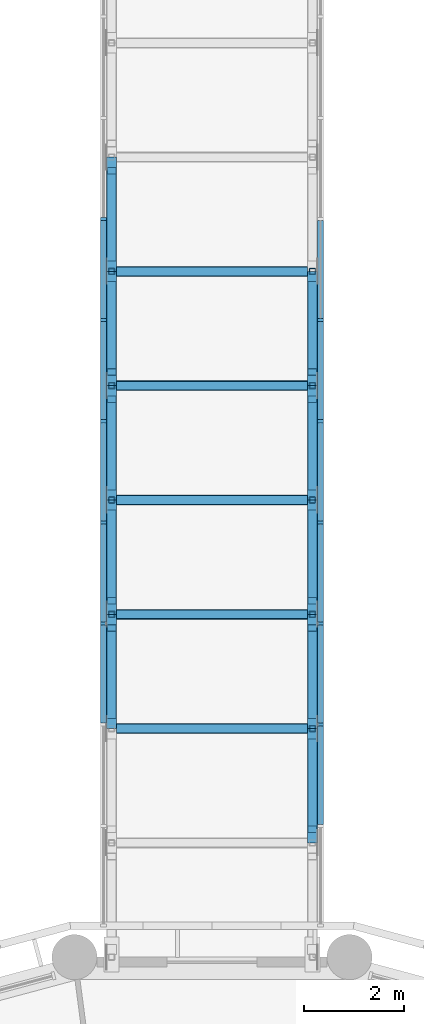
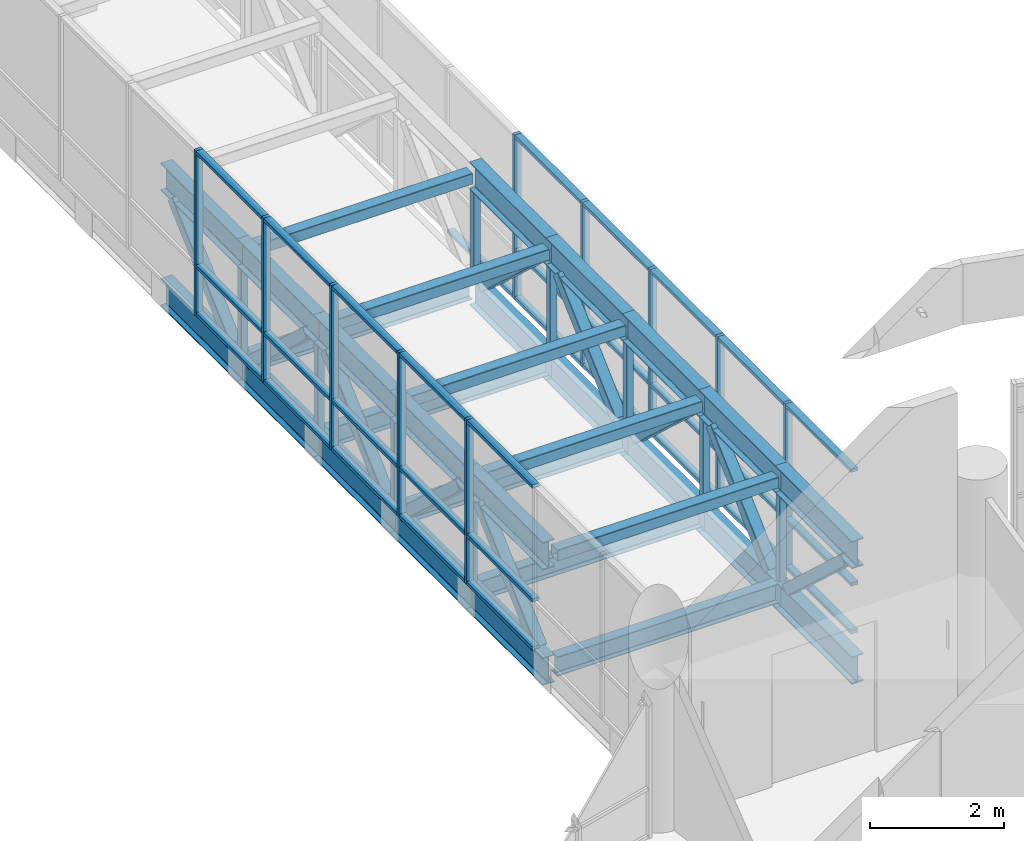
# One storey, part 25 of 136: 90 members, 2 elements without a shape of their own.
"""IFC4 building model written with IfcOpenShell, lengths in metres."""

from ifc_helpers import new_model, si_unit, direction, frame, origin, origin_2d, place, context, subcontext, project, spatial, rectangle, hollow_rectangle, i_section, extrude, material, material_profile, profile_set, type_object, element, aggregate, save


model = new_model("IFC4")

# Units and contexts
model_context = context("Model", 3, precision=1e-05, world=origin(), true_north=direction((0.0, 1.0)))
body_context = subcontext(model_context, "Body", "Model", "MODEL_VIEW")
ifc_project = project(units=[si_unit("LENGTHUNIT", "METRE"), si_unit("AREAUNIT", "SQUARE_METRE"), si_unit("VOLUMEUNIT", "CUBIC_METRE"), si_unit("PLANEANGLEUNIT", "RADIAN"), si_unit("MASSUNIT", "GRAM", prefix="KILO")], contexts=[model_context])

# Site, building, storey
site_placement = place(None, origin())
site = spatial("IfcSite", under=ifc_project, at=site_placement, CompositionType="ELEMENT")
building_placement = place(site_placement, origin())
building = spatial("IfcBuilding", under=site, at=building_placement, Name="Bougainvillea Quay General Hospital", CompositionType="ELEMENT")
storey_placement = place(building_placement, frame((0.0, 0.0, 5.39990234375)))
storey = spatial("IfcBuildingStorey", under=building, at=storey_placement, Name="L01", CompositionType="ELEMENT", Elevation=5.39990234375)

# Curtain wall, members
ifc_material_1 = material(Name="Aluminium curtain wall system, powder-coated glazed", Category="aluminium")
curtain_wall_type = type_object("IfcCurtainWallType", Name="Unitised curtain wall CW-2100", PredefinedType="NOTDEFINED", material=ifc_material_1)
curtain_wall_1_placement = place(storey_placement, origin())
curtain_wall_1 = element("IfcCurtainWall", 1, at=curtain_wall_1_placement, inside=storey, type_object=curtain_wall_type, Name="BG-L L", PredefinedType="NOTDEFINED")
ifc_material_2 = material(Name="Aluminium mullion, powder-coated charcoal", Category="aluminium")
ifc_material_profile_1 = material_profile(ifc_material_2, rectangle(XDim=0.1201171875, YDim=0.06005859375, at=origin_2d()))
ifc_profile_set_1 = profile_set([ifc_material_profile_1], Name="Aluminium mullion, powder-coated charcoal")
member_type_1 = type_object("IfcMemberType", Name="Curtain wall mullion 120x60", PredefinedType="MULLION", material=ifc_profile_set_1)
member_1_placement = place(storey_placement, frame((107.0400390625, 101.468994140625, 0.0), z_axis=(0.0, 0.0, 1.0), x_axis=(-1.0, 0.0, 0.0)))
member_1 = element("IfcMember", 2, at=member_1_placement, type_object=member_type_1, Name="BG-L mullion 4", PredefinedType="MULLION", context=body_context, shape_type="SweptSolid", body=[
    extrude(rectangle(XDim=0.1201171875, YDim=0.06005859375, at=origin_2d()), origin(), (0.0, 0.0, 1.0), 3.0),
])
member_2_placement = place(storey_placement, frame((107.0400390625, 103.4853515625, 0.0), z_axis=(0.0, 0.0, 1.0), x_axis=(-1.0, 0.0, 0.0)))
member_2 = element("IfcMember", 3, at=member_2_placement, type_object=member_type_1, Name="BG-L mullion 5", PredefinedType="MULLION", context=body_context, shape_type="SweptSolid", body=[
    extrude(rectangle(XDim=0.1201171875, YDim=0.06005859375, at=origin_2d()), origin(), (0.0, 0.0, 1.0), 3.0),
])
member_3_placement = place(storey_placement, frame((107.0400390625, 105.501708984375, 0.0), z_axis=(0.0, 0.0, 1.0), x_axis=(-1.0, 0.0, 0.0)))
member_3 = element("IfcMember", 4, at=member_3_placement, type_object=member_type_1, Name="BG-L mullion 6", PredefinedType="MULLION", context=body_context, shape_type="SweptSolid", body=[
    extrude(rectangle(XDim=0.1201171875, YDim=0.06005859375, at=origin_2d()), origin(), (0.0, 0.0, 1.0), 3.0),
])
member_4_placement = place(storey_placement, frame((107.0400390625, 107.51806640625, 0.0), z_axis=(0.0, 0.0, 1.0), x_axis=(-1.0, 0.0, 0.0)))
member_4 = element("IfcMember", 5, at=member_4_placement, type_object=member_type_1, Name="BG-L mullion 7", PredefinedType="MULLION", context=body_context, shape_type="SweptSolid", body=[
    extrude(rectangle(XDim=0.1201171875, YDim=0.06005859375, at=origin_2d()), origin(), (0.0, 0.0, 1.0), 3.0),
])
member_5_placement = place(storey_placement, frame((107.0400390625, 109.534423828125, 0.0), z_axis=(0.0, 0.0, 1.0), x_axis=(-1.0, 0.0, 0.0)))
member_5 = element("IfcMember", 6, at=member_5_placement, type_object=member_type_1, Name="BG-L mullion 8", PredefinedType="MULLION", context=body_context, shape_type="SweptSolid", body=[
    extrude(rectangle(XDim=0.1201171875, YDim=0.06005859375, at=origin_2d()), origin(), (0.0, 0.0, 1.0), 3.0),
])

curtain_wall_2_placement = place(storey_placement, origin())
curtain_wall_2 = element("IfcCurtainWall", 7, at=curtain_wall_2_placement, inside=storey, type_object=curtain_wall_type, Name="BG-R R", PredefinedType="NOTDEFINED")
member_6_placement = place(storey_placement, frame((111.360107421875, 107.51806640625, 0.0), z_axis=(0.0, 0.0, 1.0), x_axis=(1.0, 0.0, 0.0)))
member_6 = element("IfcMember", 8, at=member_6_placement, type_object=member_type_1, Name="BG-R mullion 6", PredefinedType="MULLION", context=body_context, shape_type="SweptSolid", body=[
    extrude(rectangle(XDim=0.1201171875, YDim=0.06005859375, at=origin_2d()), origin(), (0.0, 0.0, 1.0), 3.0),
])
member_7_placement = place(storey_placement, frame((111.360107421875, 105.501708984375, 0.0), z_axis=(0.0, 0.0, 1.0), x_axis=(1.0, 0.0, 0.0)))
member_7 = element("IfcMember", 9, at=member_7_placement, type_object=member_type_1, Name="BG-R mullion 7", PredefinedType="MULLION", context=body_context, shape_type="SweptSolid", body=[
    extrude(rectangle(XDim=0.1201171875, YDim=0.06005859375, at=origin_2d()), origin(), (0.0, 0.0, 1.0), 3.0),
])
member_8_placement = place(storey_placement, frame((111.360107421875, 103.4853515625, 0.0), z_axis=(0.0, 0.0, 1.0), x_axis=(1.0, 0.0, 0.0)))
member_8 = element("IfcMember", 10, at=member_8_placement, type_object=member_type_1, Name="BG-R mullion 8", PredefinedType="MULLION", context=body_context, shape_type="SweptSolid", body=[
    extrude(rectangle(XDim=0.1201171875, YDim=0.06005859375, at=origin_2d()), origin(), (0.0, 0.0, 1.0), 3.0),
])
member_9_placement = place(storey_placement, frame((111.360107421875, 101.468994140625, 0.0), z_axis=(0.0, 0.0, 1.0), x_axis=(1.0, 0.0, 0.0)))
member_9 = element("IfcMember", 11, at=member_9_placement, type_object=member_type_1, Name="BG-R mullion 9", PredefinedType="MULLION", context=body_context, shape_type="SweptSolid", body=[
    extrude(rectangle(XDim=0.1201171875, YDim=0.06005859375, at=origin_2d()), origin(), (0.0, 0.0, 1.0), 3.0),
])
member_10_placement = place(storey_placement, frame((111.360107421875, 99.45263671875, 0.0), z_axis=(0.0, 0.0, 1.0), x_axis=(1.0, 0.0, 0.0)))
member_10 = element("IfcMember", 12, at=member_10_placement, type_object=member_type_1, Name="BG-R mullion 10", PredefinedType="MULLION", context=body_context, shape_type="SweptSolid", body=[
    extrude(rectangle(XDim=0.1201171875, YDim=0.06005859375, at=origin_2d()), origin(), (0.0, 0.0, 1.0), 3.0),
])

# Member
ifc_material_3 = material(Name="Aluminium transom, powder-coated charcoal", Category="aluminium")
ifc_material_profile_2 = material_profile(ifc_material_3, rectangle(XDim=0.1201171875, YDim=0.06005859375, at=origin_2d()))
ifc_profile_set_2 = profile_set([ifc_material_profile_2], Name="Aluminium transom, powder-coated charcoal")
member_type_2 = type_object("IfcMemberType", Name="Curtain wall transom 120x60", PredefinedType="USERDEFINED", material=ifc_profile_set_2)
member_11_placement = place(storey_placement, frame((107.0400390625, 99.482666015625, 0.030029296875), z_axis=(0.0, 1.0, 0.0), x_axis=(-1.0, 0.0, 0.0)))
member_11 = element("IfcMember", 13, at=member_11_placement, type_object=member_type_2, Name="BG-L transom 3.1", ObjectType="TRANSOM", PredefinedType="USERDEFINED", context=body_context, shape_type="SweptSolid", body=[
    extrude(rectangle(XDim=0.1201171875, YDim=0.06005859375, at=origin_2d()), origin(), (0.0, 0.0, 1.0), 1.95654296875),
])

member_12_placement = place(storey_placement, frame((107.0400390625, 99.482666015625, 0.900146484375), z_axis=(0.0, 1.0, 0.0), x_axis=(-1.0, 0.0, 0.0)))
member_12 = element("IfcMember", 14, at=member_12_placement, type_object=member_type_2, Name="BG-L transom 3.2", ObjectType="TRANSOM", PredefinedType="USERDEFINED", context=body_context, shape_type="SweptSolid", body=[
    extrude(rectangle(XDim=0.1201171875, YDim=0.06005859375, at=origin_2d()), origin(), (0.0, 0.0, 1.0), 1.95654296875),
])

member_13_placement = place(storey_placement, frame((107.0400390625, 99.482666015625, 2.97021484375), z_axis=(0.0, 1.0, 0.0), x_axis=(-1.0, 0.0, 0.0)))
member_13 = element("IfcMember", 15, at=member_13_placement, type_object=member_type_2, Name="BG-L transom 3.3", ObjectType="TRANSOM", PredefinedType="USERDEFINED", context=body_context, shape_type="SweptSolid", body=[
    extrude(rectangle(XDim=0.1201171875, YDim=0.06005859375, at=origin_2d()), origin(), (0.0, 0.0, 1.0), 1.95654296875),
])

member_14_placement = place(storey_placement, frame((107.0400390625, 101.4990234375, 0.030029296875), z_axis=(0.0, 1.0, 0.0), x_axis=(-1.0, 0.0, 0.0)))
member_14 = element("IfcMember", 16, at=member_14_placement, type_object=member_type_2, Name="BG-L transom 4.1", ObjectType="TRANSOM", PredefinedType="USERDEFINED", context=body_context, shape_type="SweptSolid", body=[
    extrude(rectangle(XDim=0.1201171875, YDim=0.06005859375, at=origin_2d()), origin(), (0.0, 0.0, 1.0), 1.95654296875),
])

member_15_placement = place(storey_placement, frame((107.0400390625, 101.4990234375, 0.900146484375), z_axis=(0.0, 1.0, 0.0), x_axis=(-1.0, 0.0, 0.0)))
member_15 = element("IfcMember", 17, at=member_15_placement, type_object=member_type_2, Name="BG-L transom 4.2", ObjectType="TRANSOM", PredefinedType="USERDEFINED", context=body_context, shape_type="SweptSolid", body=[
    extrude(rectangle(XDim=0.1201171875, YDim=0.06005859375, at=origin_2d()), origin(), (0.0, 0.0, 1.0), 1.95654296875),
])

member_16_placement = place(storey_placement, frame((107.0400390625, 101.4990234375, 2.97021484375), z_axis=(0.0, 1.0, 0.0), x_axis=(-1.0, 0.0, 0.0)))
member_16 = element("IfcMember", 18, at=member_16_placement, type_object=member_type_2, Name="BG-L transom 4.3", ObjectType="TRANSOM", PredefinedType="USERDEFINED", context=body_context, shape_type="SweptSolid", body=[
    extrude(rectangle(XDim=0.1201171875, YDim=0.06005859375, at=origin_2d()), origin(), (0.0, 0.0, 1.0), 1.95654296875),
])

member_17_placement = place(storey_placement, frame((107.0400390625, 103.515380859375, 0.030029296875), z_axis=(0.0, 1.0, 0.0), x_axis=(-1.0, 0.0, 0.0)))
member_17 = element("IfcMember", 19, at=member_17_placement, type_object=member_type_2, Name="BG-L transom 5.1", ObjectType="TRANSOM", PredefinedType="USERDEFINED", context=body_context, shape_type="SweptSolid", body=[
    extrude(rectangle(XDim=0.1201171875, YDim=0.06005859375, at=origin_2d()), origin(), (0.0, 0.0, 1.0), 1.95654296875),
])

member_18_placement = place(storey_placement, frame((107.0400390625, 103.515380859375, 0.900146484375), z_axis=(0.0, 1.0, 0.0), x_axis=(-1.0, 0.0, 0.0)))
member_18 = element("IfcMember", 20, at=member_18_placement, type_object=member_type_2, Name="BG-L transom 5.2", ObjectType="TRANSOM", PredefinedType="USERDEFINED", context=body_context, shape_type="SweptSolid", body=[
    extrude(rectangle(XDim=0.1201171875, YDim=0.06005859375, at=origin_2d()), origin(), (0.0, 0.0, 1.0), 1.95654296875),
])

member_19_placement = place(storey_placement, frame((107.0400390625, 103.515380859375, 2.97021484375), z_axis=(0.0, 1.0, 0.0), x_axis=(-1.0, 0.0, 0.0)))
member_19 = element("IfcMember", 21, at=member_19_placement, type_object=member_type_2, Name="BG-L transom 5.3", ObjectType="TRANSOM", PredefinedType="USERDEFINED", context=body_context, shape_type="SweptSolid", body=[
    extrude(rectangle(XDim=0.1201171875, YDim=0.06005859375, at=origin_2d()), origin(), (0.0, 0.0, 1.0), 1.95654296875),
])

member_20_placement = place(storey_placement, frame((107.0400390625, 105.53173828125, 0.030029296875), z_axis=(0.0, 1.0, 0.0), x_axis=(-1.0, 0.0, 0.0)))
member_20 = element("IfcMember", 22, at=member_20_placement, type_object=member_type_2, Name="BG-L transom 6.1", ObjectType="TRANSOM", PredefinedType="USERDEFINED", context=body_context, shape_type="SweptSolid", body=[
    extrude(rectangle(XDim=0.1201171875, YDim=0.06005859375, at=origin_2d()), origin(), (0.0, 0.0, 1.0), 1.95654296875),
])

member_21_placement = place(storey_placement, frame((107.0400390625, 105.53173828125, 0.900146484375), z_axis=(0.0, 1.0, 0.0), x_axis=(-1.0, 0.0, 0.0)))
member_21 = element("IfcMember", 23, at=member_21_placement, type_object=member_type_2, Name="BG-L transom 6.2", ObjectType="TRANSOM", PredefinedType="USERDEFINED", context=body_context, shape_type="SweptSolid", body=[
    extrude(rectangle(XDim=0.1201171875, YDim=0.06005859375, at=origin_2d()), origin(), (0.0, 0.0, 1.0), 1.95654296875),
])

member_22_placement = place(storey_placement, frame((107.0400390625, 105.53173828125, 2.97021484375), z_axis=(0.0, 1.0, 0.0), x_axis=(-1.0, 0.0, 0.0)))
member_22 = element("IfcMember", 24, at=member_22_placement, type_object=member_type_2, Name="BG-L transom 6.3", ObjectType="TRANSOM", PredefinedType="USERDEFINED", context=body_context, shape_type="SweptSolid", body=[
    extrude(rectangle(XDim=0.1201171875, YDim=0.06005859375, at=origin_2d()), origin(), (0.0, 0.0, 1.0), 1.95654296875),
])

member_23_placement = place(storey_placement, frame((107.0400390625, 107.548095703125, 0.030029296875), z_axis=(0.0, 1.0, 0.0), x_axis=(-1.0, 0.0, 0.0)))
member_23 = element("IfcMember", 25, at=member_23_placement, type_object=member_type_2, Name="BG-L transom 7.1", ObjectType="TRANSOM", PredefinedType="USERDEFINED", context=body_context, shape_type="SweptSolid", body=[
    extrude(rectangle(XDim=0.1201171875, YDim=0.06005859375, at=origin_2d()), origin(), (0.0, 0.0, 1.0), 1.95654296875),
])

member_24_placement = place(storey_placement, frame((107.0400390625, 107.548095703125, 0.900146484375), z_axis=(0.0, 1.0, 0.0), x_axis=(-1.0, 0.0, 0.0)))
member_24 = element("IfcMember", 26, at=member_24_placement, type_object=member_type_2, Name="BG-L transom 7.2", ObjectType="TRANSOM", PredefinedType="USERDEFINED", context=body_context, shape_type="SweptSolid", body=[
    extrude(rectangle(XDim=0.1201171875, YDim=0.06005859375, at=origin_2d()), origin(), (0.0, 0.0, 1.0), 1.95654296875),
])

member_25_placement = place(storey_placement, frame((107.0400390625, 107.548095703125, 2.97021484375), z_axis=(0.0, 1.0, 0.0), x_axis=(-1.0, 0.0, 0.0)))
member_25 = element("IfcMember", 27, at=member_25_placement, type_object=member_type_2, Name="BG-L transom 7.3", ObjectType="TRANSOM", PredefinedType="USERDEFINED", context=body_context, shape_type="SweptSolid", body=[
    extrude(rectangle(XDim=0.1201171875, YDim=0.06005859375, at=origin_2d()), origin(), (0.0, 0.0, 1.0), 1.95654296875),
])

aggregate(curtain_wall_1, [member_1, member_2, member_3, member_4, member_5, member_11, member_12, member_13, member_14, member_15, member_16, member_17, member_18, member_19, member_20, member_21, member_22, member_23, member_24, member_25])

member_26_placement = place(storey_placement, frame((111.360107421875, 109.504638671875, 0.030029296875), z_axis=(0.0, -1.0, 0.0), x_axis=(1.0, 0.0, 0.0)))
member_26 = element("IfcMember", 28, at=member_26_placement, type_object=member_type_2, Name="BG-R transom 5.1", ObjectType="TRANSOM", PredefinedType="USERDEFINED", context=body_context, shape_type="SweptSolid", body=[
    extrude(rectangle(XDim=0.1201171875, YDim=0.06005859375, at=origin_2d()), origin(), (0.0, 0.0, 1.0), 1.95654296875),
])

member_27_placement = place(storey_placement, frame((111.360107421875, 107.48828125, 0.030029296875), z_axis=(0.0, -1.0, 0.0), x_axis=(1.0, 0.0, 0.0)))
member_27 = element("IfcMember", 29, at=member_27_placement, type_object=member_type_2, Name="BG-R transom 6.1", ObjectType="TRANSOM", PredefinedType="USERDEFINED", context=body_context, shape_type="SweptSolid", body=[
    extrude(rectangle(XDim=0.1201171875, YDim=0.06005859375, at=origin_2d()), origin(), (0.0, 0.0, 1.0), 1.95654296875),
])

member_28_placement = place(storey_placement, frame((111.360107421875, 107.48828125, 0.900146484375), z_axis=(0.0, -1.0, 0.0), x_axis=(1.0, 0.0, 0.0)))
member_28 = element("IfcMember", 30, at=member_28_placement, type_object=member_type_2, Name="BG-R transom 6.2", ObjectType="TRANSOM", PredefinedType="USERDEFINED", context=body_context, shape_type="SweptSolid", body=[
    extrude(rectangle(XDim=0.1201171875, YDim=0.06005859375, at=origin_2d()), origin(), (0.0, 0.0, 1.0), 1.95654296875),
])

member_29_placement = place(storey_placement, frame((111.360107421875, 107.48828125, 2.97021484375), z_axis=(0.0, -1.0, 0.0), x_axis=(1.0, 0.0, 0.0)))
member_29 = element("IfcMember", 31, at=member_29_placement, type_object=member_type_2, Name="BG-R transom 6.3", ObjectType="TRANSOM", PredefinedType="USERDEFINED", context=body_context, shape_type="SweptSolid", body=[
    extrude(rectangle(XDim=0.1201171875, YDim=0.06005859375, at=origin_2d()), origin(), (0.0, 0.0, 1.0), 1.95654296875),
])

member_30_placement = place(storey_placement, frame((111.360107421875, 105.471923828125, 0.030029296875), z_axis=(0.0, -1.0, 0.0), x_axis=(1.0, 0.0, 0.0)))
member_30 = element("IfcMember", 32, at=member_30_placement, type_object=member_type_2, Name="BG-R transom 7.1", ObjectType="TRANSOM", PredefinedType="USERDEFINED", context=body_context, shape_type="SweptSolid", body=[
    extrude(rectangle(XDim=0.1201171875, YDim=0.06005859375, at=origin_2d()), origin(), (0.0, 0.0, 1.0), 1.95654296875),
])

member_31_placement = place(storey_placement, frame((111.360107421875, 105.471923828125, 0.900146484375), z_axis=(0.0, -1.0, 0.0), x_axis=(1.0, 0.0, 0.0)))
member_31 = element("IfcMember", 33, at=member_31_placement, type_object=member_type_2, Name="BG-R transom 7.2", ObjectType="TRANSOM", PredefinedType="USERDEFINED", context=body_context, shape_type="SweptSolid", body=[
    extrude(rectangle(XDim=0.1201171875, YDim=0.06005859375, at=origin_2d()), origin(), (0.0, 0.0, 1.0), 1.95654296875),
])

member_32_placement = place(storey_placement, frame((111.360107421875, 105.471923828125, 2.97021484375), z_axis=(0.0, -1.0, 0.0), x_axis=(1.0, 0.0, 0.0)))
member_32 = element("IfcMember", 34, at=member_32_placement, type_object=member_type_2, Name="BG-R transom 7.3", ObjectType="TRANSOM", PredefinedType="USERDEFINED", context=body_context, shape_type="SweptSolid", body=[
    extrude(rectangle(XDim=0.1201171875, YDim=0.06005859375, at=origin_2d()), origin(), (0.0, 0.0, 1.0), 1.95654296875),
])

member_33_placement = place(storey_placement, frame((111.360107421875, 103.45556640625, 0.030029296875), z_axis=(0.0, -1.0, 0.0), x_axis=(1.0, 0.0, 0.0)))
member_33 = element("IfcMember", 35, at=member_33_placement, type_object=member_type_2, Name="BG-R transom 8.1", ObjectType="TRANSOM", PredefinedType="USERDEFINED", context=body_context, shape_type="SweptSolid", body=[
    extrude(rectangle(XDim=0.1201171875, YDim=0.06005859375, at=origin_2d()), origin(), (0.0, 0.0, 1.0), 1.95654296875),
])

member_34_placement = place(storey_placement, frame((111.360107421875, 103.45556640625, 0.900146484375), z_axis=(0.0, -1.0, 0.0), x_axis=(1.0, 0.0, 0.0)))
member_34 = element("IfcMember", 36, at=member_34_placement, type_object=member_type_2, Name="BG-R transom 8.2", ObjectType="TRANSOM", PredefinedType="USERDEFINED", context=body_context, shape_type="SweptSolid", body=[
    extrude(rectangle(XDim=0.1201171875, YDim=0.06005859375, at=origin_2d()), origin(), (0.0, 0.0, 1.0), 1.95654296875),
])

member_35_placement = place(storey_placement, frame((111.360107421875, 103.45556640625, 2.97021484375), z_axis=(0.0, -1.0, 0.0), x_axis=(1.0, 0.0, 0.0)))
member_35 = element("IfcMember", 37, at=member_35_placement, type_object=member_type_2, Name="BG-R transom 8.3", ObjectType="TRANSOM", PredefinedType="USERDEFINED", context=body_context, shape_type="SweptSolid", body=[
    extrude(rectangle(XDim=0.1201171875, YDim=0.06005859375, at=origin_2d()), origin(), (0.0, 0.0, 1.0), 1.95654296875),
])

member_36_placement = place(storey_placement, frame((111.360107421875, 101.439208984375, 0.030029296875), z_axis=(0.0, -1.0, 0.0), x_axis=(1.0, 0.0, 0.0)))
member_36 = element("IfcMember", 38, at=member_36_placement, type_object=member_type_2, Name="BG-R transom 9.1", ObjectType="TRANSOM", PredefinedType="USERDEFINED", context=body_context, shape_type="SweptSolid", body=[
    extrude(rectangle(XDim=0.1201171875, YDim=0.06005859375, at=origin_2d()), origin(), (0.0, 0.0, 1.0), 1.95654296875),
])

member_37_placement = place(storey_placement, frame((111.360107421875, 101.439208984375, 0.900146484375), z_axis=(0.0, -1.0, 0.0), x_axis=(1.0, 0.0, 0.0)))
member_37 = element("IfcMember", 39, at=member_37_placement, type_object=member_type_2, Name="BG-R transom 9.2", ObjectType="TRANSOM", PredefinedType="USERDEFINED", context=body_context, shape_type="SweptSolid", body=[
    extrude(rectangle(XDim=0.1201171875, YDim=0.06005859375, at=origin_2d()), origin(), (0.0, 0.0, 1.0), 1.95654296875),
])

member_38_placement = place(storey_placement, frame((111.360107421875, 101.439208984375, 2.97021484375), z_axis=(0.0, -1.0, 0.0), x_axis=(1.0, 0.0, 0.0)))
member_38 = element("IfcMember", 40, at=member_38_placement, type_object=member_type_2, Name="BG-R transom 9.3", ObjectType="TRANSOM", PredefinedType="USERDEFINED", context=body_context, shape_type="SweptSolid", body=[
    extrude(rectangle(XDim=0.1201171875, YDim=0.06005859375, at=origin_2d()), origin(), (0.0, 0.0, 1.0), 1.95654296875),
])

member_39_placement = place(storey_placement, frame((111.360107421875, 99.422607421875, 0.030029296875), z_axis=(0.0, -1.0, 0.0), x_axis=(1.0, 0.0, 0.0)))
member_39 = element("IfcMember", 41, at=member_39_placement, type_object=member_type_2, Name="BG-R transom 10.1", ObjectType="TRANSOM", PredefinedType="USERDEFINED", context=body_context, shape_type="SweptSolid", body=[
    extrude(rectangle(XDim=0.1201171875, YDim=0.06005859375, at=origin_2d()), origin(), (0.0, 0.0, 1.0), 1.956298828125),
])

member_40_placement = place(storey_placement, frame((111.360107421875, 99.422607421875, 0.900146484375), z_axis=(0.0, -1.0, 0.0), x_axis=(1.0, 0.0, 0.0)))
member_40 = element("IfcMember", 42, at=member_40_placement, type_object=member_type_2, Name="BG-R transom 10.2", ObjectType="TRANSOM", PredefinedType="USERDEFINED", context=body_context, shape_type="SweptSolid", body=[
    extrude(rectangle(XDim=0.1201171875, YDim=0.06005859375, at=origin_2d()), origin(), (0.0, 0.0, 1.0), 1.956298828125),
])

member_41_placement = place(storey_placement, frame((111.360107421875, 99.422607421875, 2.97021484375), z_axis=(0.0, -1.0, 0.0), x_axis=(1.0, 0.0, 0.0)))
member_41 = element("IfcMember", 43, at=member_41_placement, type_object=member_type_2, Name="BG-R transom 10.3", ObjectType="TRANSOM", PredefinedType="USERDEFINED", context=body_context, shape_type="SweptSolid", body=[
    extrude(rectangle(XDim=0.1201171875, YDim=0.06005859375, at=origin_2d()), origin(), (0.0, 0.0, 1.0), 1.956298828125),
])

aggregate(curtain_wall_2, [member_6, member_7, member_8, member_9, member_10, member_26, member_27, member_28, member_29, member_30, member_31, member_32, member_33, member_34, member_35, member_36, member_37, member_38, member_39, member_40, member_41])

# Members
ifc_material_4 = material(Name="Steel Q355", Category="steel")
ifc_material_profile_3 = material_profile(ifc_material_4, i_section(OverallWidth=0.175048828125, OverallDepth=0.35009765625, WebThickness=0.007080078125, FlangeThickness=0.010986328125, FilletRadius=0.012939453125, at=origin_2d()))
ifc_profile_set_3 = profile_set([ifc_material_profile_3], Name="Steel Q355")
member_type_3 = type_object("IfcMemberType", Name="HN 350x175x7x11 Q355 STRUT", PredefinedType="STRUT", material=ifc_profile_set_3)
for number, where, z_axis, x_axis, name in (
    (44, (107.300048828125, 99.3759765625, -0.294921875), (1.0, 0.0, 0.0), (0.0, 1.0, 0.0), "Bridge floor beam"),
    (45, (107.300048828125, 101.654052734375, -0.294921875), (1.0, 0.0, 0.0), (0.0, 1.0, 0.0), "Bridge floor beam"),
    (46, (107.300048828125, 103.931884765625, -0.294921875), (1.0, 0.0, 0.0), (0.0, 1.0, 0.0), "Bridge floor beam"),
    (47, (107.300048828125, 106.2099609375, -0.294921875), (1.0, 0.0, 0.0), (0.0, 1.0, 0.0), "Bridge floor beam"),
    (48, (107.300048828125, 108.488037109375, -0.294921875), (1.0, 0.0, 0.0), (0.0, 1.0, 0.0), "Bridge floor beam"),
):
    element("IfcMember", number, at=place(storey_placement, frame(where, z_axis=z_axis, x_axis=x_axis)), inside=storey, type_object=member_type_3, Name=name, PredefinedType="STRUT", context=body_context, shape_type="SweptSolid", body=[
        extrude(i_section(OverallWidth=0.175048828125, OverallDepth=0.35009765625, WebThickness=0.007080078125, FlangeThickness=0.010986328125, FilletRadius=0.012939453125, at=origin_2d()), origin(), (0.0, 0.0, 1.0), 3.800048828125),
    ])
ifc_material_profile_4 = material_profile(ifc_material_4, i_section(OverallWidth=0.199951171875, OverallDepth=0.5, WebThickness=0.010009765625, FlangeThickness=0.01611328125, FilletRadius=0.012939453125, at=origin_2d()))
ifc_profile_set_4 = profile_set([ifc_material_profile_4], Name="Steel Q355")
member_type_4 = type_object("IfcMemberType", Name="HN 500x200x10x16 Q355 CHORD", PredefinedType="CHORD", material=ifc_profile_set_4)
for number, where, z_axis, x_axis, name in (
    (49, (107.199951171875, 99.3759765625, -0.369873046875), (0.0, 1.0, 0.0), (-1.0, 0.0, 0.0), "Bottom chord"),
    (50, (107.199951171875, 99.3759765625, 1.72998046875), (0.0, 1.0, 0.0), (-1.0, 0.0, 0.0), "Top chord"),
):
    element("IfcMember", number, at=place(storey_placement, frame(where, z_axis=z_axis, x_axis=x_axis)), inside=storey, type_object=member_type_4, Name=name, PredefinedType="CHORD", context=body_context, shape_type="SweptSolid", body=[
        extrude(i_section(OverallWidth=0.199951171875, OverallDepth=0.5, WebThickness=0.010009765625, FlangeThickness=0.01611328125, FilletRadius=0.012939453125, at=origin_2d()), origin(), (0.0, 0.0, 1.0), 2.278076171875),
    ])
for number, where, z_axis, x_axis, name in (
    (51, (107.199951171875, 101.654052734375, -0.369873046875), (0.0, 1.0, 0.0), (-1.0, 0.0, 0.0), "Bottom chord"),
    (52, (107.199951171875, 101.654052734375, 1.72998046875), (0.0, 1.0, 0.0), (-1.0, 0.0, 0.0), "Top chord"),
):
    element("IfcMember", number, at=place(storey_placement, frame(where, z_axis=z_axis, x_axis=x_axis)), inside=storey, type_object=member_type_4, Name=name, PredefinedType="CHORD", context=body_context, shape_type="SweptSolid", body=[
        extrude(i_section(OverallWidth=0.199951171875, OverallDepth=0.5, WebThickness=0.010009765625, FlangeThickness=0.01611328125, FilletRadius=0.012939453125, at=origin_2d()), origin(), (0.0, 0.0, 1.0), 2.27783203125),
    ])
for number, where, z_axis, x_axis, name in (
    (53, (107.199951171875, 103.931884765625, -0.369873046875), (0.0, 1.0, 0.0), (-1.0, 0.0, 0.0), "Bottom chord"),
    (54, (107.199951171875, 103.931884765625, 1.72998046875), (0.0, 1.0, 0.0), (-1.0, 0.0, 0.0), "Top chord"),
    (55, (107.199951171875, 106.2099609375, -0.369873046875), (0.0, 1.0, 0.0), (-1.0, 0.0, 0.0), "Bottom chord"),
    (56, (107.199951171875, 106.2099609375, 1.72998046875), (0.0, 1.0, 0.0), (-1.0, 0.0, 0.0), "Top chord"),
    (57, (107.199951171875, 108.488037109375, -0.369873046875), (0.0, 1.0, 0.0), (-1.0, 0.0, 0.0), "Bottom chord"),
    (58, (107.199951171875, 108.488037109375, 1.72998046875), (0.0, 1.0, 0.0), (-1.0, 0.0, 0.0), "Top chord"),
    (59, (111.199951171875, 97.097900390625, -0.369873046875), (0.0, 1.0, 0.0), (-1.0, 0.0, 0.0), "Bottom chord"),
    (60, (111.199951171875, 97.097900390625, 1.72998046875), (0.0, 1.0, 0.0), (-1.0, 0.0, 0.0), "Top chord"),
    (61, (111.199951171875, 99.3759765625, -0.369873046875), (0.0, 1.0, 0.0), (-1.0, 0.0, 0.0), "Bottom chord"),
    (62, (111.199951171875, 99.3759765625, 1.72998046875), (0.0, 1.0, 0.0), (-1.0, 0.0, 0.0), "Top chord"),
):
    element("IfcMember", number, at=place(storey_placement, frame(where, z_axis=z_axis, x_axis=x_axis)), inside=storey, type_object=member_type_4, Name=name, PredefinedType="CHORD", context=body_context, shape_type="SweptSolid", body=[
        extrude(i_section(OverallWidth=0.199951171875, OverallDepth=0.5, WebThickness=0.010009765625, FlangeThickness=0.01611328125, FilletRadius=0.012939453125, at=origin_2d()), origin(), (0.0, 0.0, 1.0), 2.278076171875),
    ])
for number, where, z_axis, x_axis, name in (
    (63, (111.199951171875, 101.654052734375, -0.369873046875), (0.0, 1.0, 0.0), (-1.0, 0.0, 0.0), "Bottom chord"),
    (64, (111.199951171875, 101.654052734375, 1.72998046875), (0.0, 1.0, 0.0), (-1.0, 0.0, 0.0), "Top chord"),
):
    element("IfcMember", number, at=place(storey_placement, frame(where, z_axis=z_axis, x_axis=x_axis)), inside=storey, type_object=member_type_4, Name=name, PredefinedType="CHORD", context=body_context, shape_type="SweptSolid", body=[
        extrude(i_section(OverallWidth=0.199951171875, OverallDepth=0.5, WebThickness=0.010009765625, FlangeThickness=0.01611328125, FilletRadius=0.012939453125, at=origin_2d()), origin(), (0.0, 0.0, 1.0), 2.27783203125),
    ])
for number, where, z_axis, x_axis, name in (
    (65, (111.199951171875, 103.931884765625, -0.369873046875), (0.0, 1.0, 0.0), (-1.0, 0.0, 0.0), "Bottom chord"),
    (66, (111.199951171875, 103.931884765625, 1.72998046875), (0.0, 1.0, 0.0), (-1.0, 0.0, 0.0), "Top chord"),
    (67, (111.199951171875, 106.2099609375, -0.369873046875), (0.0, 1.0, 0.0), (-1.0, 0.0, 0.0), "Bottom chord"),
    (68, (111.199951171875, 106.2099609375, 1.72998046875), (0.0, 1.0, 0.0), (-1.0, 0.0, 0.0), "Top chord"),
):
    element("IfcMember", number, at=place(storey_placement, frame(where, z_axis=z_axis, x_axis=x_axis)), inside=storey, type_object=member_type_4, Name=name, PredefinedType="CHORD", context=body_context, shape_type="SweptSolid", body=[
        extrude(i_section(OverallWidth=0.199951171875, OverallDepth=0.5, WebThickness=0.010009765625, FlangeThickness=0.01611328125, FilletRadius=0.012939453125, at=origin_2d()), origin(), (0.0, 0.0, 1.0), 2.278076171875),
    ])
ifc_material_profile_5 = material_profile(ifc_material_4, hollow_rectangle(XDim=0.1201171875, YDim=0.1201171875, WallThickness=0.0048828125, InnerFilletRadius=0.0048828125, OuterFilletRadius=0.010009765625, at=origin_2d()))
ifc_profile_set_5 = profile_set([ifc_material_profile_5], Name="Steel Q355")
member_type_5 = type_object("IfcMemberType", Name="SHS 120x120x5 Q355 POST", PredefinedType="POST", material=ifc_profile_set_5)
for number, where, z_axis, x_axis, name in (
    (69, (107.199951171875, 101.654052734375, -0.119873046875), (0.0, 0.0, 1.0), (1.0, 0.0, 0.0), "Truss post"),
    (70, (107.199951171875, 103.931884765625, -0.119873046875), (0.0, 0.0, 1.0), (1.0, 0.0, 0.0), "Truss post"),
    (71, (107.199951171875, 106.2099609375, -0.119873046875), (0.0, 0.0, 1.0), (1.0, 0.0, 0.0), "Truss post"),
    (72, (107.199951171875, 108.488037109375, -0.119873046875), (0.0, 0.0, 1.0), (1.0, 0.0, 0.0), "Truss post"),
    (73, (111.199951171875, 99.3759765625, -0.119873046875), (0.0, 0.0, 1.0), (1.0, 0.0, 0.0), "Truss post"),
    (74, (111.199951171875, 101.654052734375, -0.119873046875), (0.0, 0.0, 1.0), (1.0, 0.0, 0.0), "Truss post"),
    (75, (111.199951171875, 103.931884765625, -0.119873046875), (0.0, 0.0, 1.0), (1.0, 0.0, 0.0), "Truss post"),
    (76, (111.199951171875, 106.2099609375, -0.119873046875), (0.0, 0.0, 1.0), (1.0, 0.0, 0.0), "Truss post"),
    (77, (111.199951171875, 108.488037109375, -0.119873046875), (0.0, 0.0, 1.0), (1.0, 0.0, 0.0), "Truss post"),
):
    element("IfcMember", number, at=place(storey_placement, frame(where, z_axis=z_axis, x_axis=x_axis)), inside=storey, type_object=member_type_5, Name=name, PredefinedType="POST", context=body_context, shape_type="SweptSolid", body=[
        extrude(hollow_rectangle(XDim=0.1201171875, YDim=0.1201171875, WallThickness=0.0048828125, InnerFilletRadius=0.0048828125, OuterFilletRadius=0.010009765625, at=origin_2d()), origin(), (0.0, 0.0, 1.0), 1.599853515625),
    ])
ifc_material_profile_6 = material_profile(ifc_material_4, hollow_rectangle(XDim=0.199951171875, YDim=0.199951171875, WallThickness=0.008056640625, InnerFilletRadius=0.008056640625, OuterFilletRadius=0.01611328125, at=origin_2d()))
ifc_profile_set_6 = profile_set([ifc_material_profile_6], Name="Steel Q355")
member_type_6 = type_object("IfcMemberType", Name="SHS 200x200x8 Q355 BRACE", PredefinedType="BRACE", material=ifc_profile_set_6)
for number, where, z_axis, x_axis, name in (
    (78, (107.199951171875, 99.647216796875, -0.119873046875), (0.0, 0.73527513993, 0.677768742715), (-1.0, 0.0, 0.0), "Truss diagonal"),
    (79, (107.199951171875, 103.660888671875, -0.119873046875), (0.0, -0.73527513993, 0.677768742715), (1.0, 0.0, 0.0), "Truss diagonal"),
    (80, (107.199951171875, 104.203125, -0.119873046875), (0.0, 0.73527513993, 0.677768742715), (-1.0, 0.0, 0.0), "Truss diagonal"),
    (81, (107.199951171875, 108.216796875, -0.119873046875), (0.0, -0.73527513993, 0.677768742715), (1.0, 0.0, 0.0), "Truss diagonal"),
    (82, (107.199951171875, 108.75927734375, -0.119873046875), (0.0, 0.73527513993, 0.677768742715), (-1.0, 0.0, 0.0), "Truss diagonal"),
    (83, (111.199951171875, 99.104736328125, -0.119873046875), (0.0, -0.73527513993, 0.677768742715), (1.0, 0.0, 0.0), "Truss diagonal"),
    (84, (111.199951171875, 99.647216796875, -0.119873046875), (0.0, 0.73527513993, 0.677768742715), (-1.0, 0.0, 0.0), "Truss diagonal"),
    (85, (111.199951171875, 103.660888671875, -0.119873046875), (0.0, -0.73527513993, 0.677768742715), (1.0, 0.0, 0.0), "Truss diagonal"),
    (86, (111.199951171875, 104.203125, -0.119873046875), (0.0, 0.73527513993, 0.677768742715), (-1.0, 0.0, 0.0), "Truss diagonal"),
    (87, (111.199951171875, 108.216796875, -0.119873046875), (0.0, -0.73527513993, 0.677768742715), (1.0, 0.0, 0.0), "Truss diagonal"),
):
    element("IfcMember", number, at=place(storey_placement, frame(where, z_axis=z_axis, x_axis=x_axis)), inside=storey, type_object=member_type_6, Name=name, PredefinedType="BRACE", context=body_context, shape_type="SweptSolid", body=[
        extrude(hollow_rectangle(XDim=0.199951171875, YDim=0.199951171875, WallThickness=0.008056640625, InnerFilletRadius=0.008056640625, OuterFilletRadius=0.01611328125, at=origin_2d()), origin(), (0.0, 0.0, 1.0), 2.3603515625),
    ])
ifc_material_profile_7 = material_profile(ifc_material_4, hollow_rectangle(XDim=0.199951171875, YDim=0.199951171875, WallThickness=0.008056640625, InnerFilletRadius=0.008056640625, OuterFilletRadius=0.01611328125, at=origin_2d()))
ifc_profile_set_7 = profile_set([ifc_material_profile_7], Name="Steel Q355")
member_type_7 = type_object("IfcMemberType", Name="SHS 200x200x8 Q355 STRUT", PredefinedType="STRUT", material=ifc_profile_set_7)
for number, where, z_axis, x_axis, name in (
    (88, (107.300048828125, 99.3759765625, 1.72998046875), (1.0, 0.0, 0.0), (0.0, 1.0, 0.0), "Top strut"),
    (89, (107.300048828125, 101.654052734375, 1.72998046875), (1.0, 0.0, 0.0), (0.0, 1.0, 0.0), "Top strut"),
    (90, (107.300048828125, 103.931884765625, 1.72998046875), (1.0, 0.0, 0.0), (0.0, 1.0, 0.0), "Top strut"),
    (91, (107.300048828125, 106.2099609375, 1.72998046875), (1.0, 0.0, 0.0), (0.0, 1.0, 0.0), "Top strut"),
    (92, (107.300048828125, 108.488037109375, 1.72998046875), (1.0, 0.0, 0.0), (0.0, 1.0, 0.0), "Top strut"),
):
    element("IfcMember", number, at=place(storey_placement, frame(where, z_axis=z_axis, x_axis=x_axis)), inside=storey, type_object=member_type_7, Name=name, PredefinedType="STRUT", context=body_context, shape_type="SweptSolid", body=[
        extrude(hollow_rectangle(XDim=0.199951171875, YDim=0.199951171875, WallThickness=0.008056640625, InnerFilletRadius=0.008056640625, OuterFilletRadius=0.01611328125, at=origin_2d()), origin(), (0.0, 0.0, 1.0), 3.800048828125),
    ])

save(model, "model.ifc")
